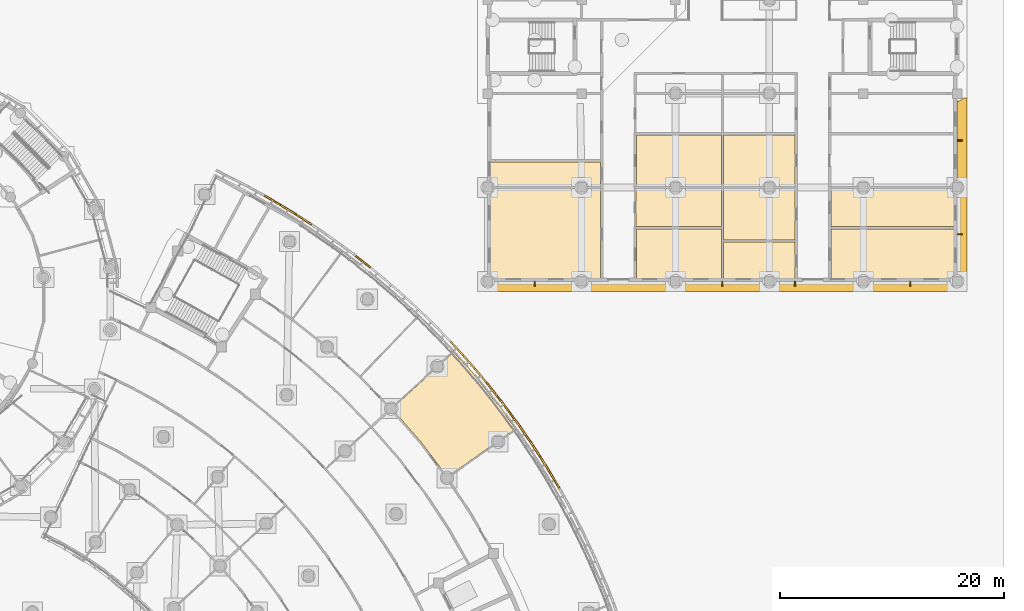
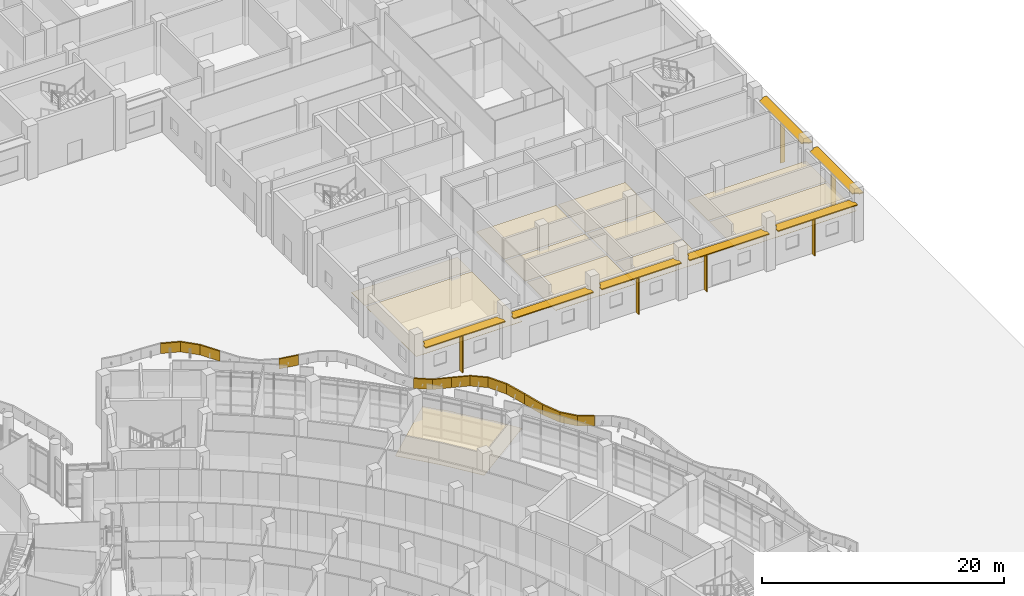
# One storey, part 135 of 146: 25 coverings, 13 shading devices.
"""IFC4 building model written with IfcOpenShell, lengths in metres."""

from ifc_helpers import new_model, si_unit, direction, frame, origin, origin_2d, place, context, subcontext, project, spatial, polyline, rectangle, outline, extrude, material, layer, layer_set, material_profile, profile_set, type_object, element, save


model = new_model("IFC4")

# Units and contexts
model_context = context("Model", 3, precision=1e-05, world=origin(), true_north=direction((0.0, 1.0)))
body_context = subcontext(model_context, "Body", "Model", "MODEL_VIEW")
ifc_project = project(units=[si_unit("LENGTHUNIT", "METRE"), si_unit("AREAUNIT", "SQUARE_METRE"), si_unit("VOLUMEUNIT", "CUBIC_METRE"), si_unit("PLANEANGLEUNIT", "RADIAN"), si_unit("MASSUNIT", "GRAM", prefix="KILO")], contexts=[model_context])

# Site, building, storey
site_placement = place(None, origin())
site = spatial("IfcSite", under=ifc_project, at=site_placement, CompositionType="ELEMENT")
building_placement = place(site_placement, origin())
building = spatial("IfcBuilding", under=site, at=building_placement, Name="Bougainvillea Quay General Hospital", CompositionType="ELEMENT")
storey_placement = place(building_placement, origin())
storey = spatial("IfcBuildingStorey", under=building, at=storey_placement, Name="L00", CompositionType="ELEMENT", Elevation=0.0)

# Coverings
ifc_material_1 = material(Name="Powder-coated aluminium fascia, red", Category="aluminium")
ifc_layer_1 = layer(ifc_material_1, 0.14990234375)
ifc_layer_set_1 = layer_set([ifc_layer_1], Name="Powder-coated aluminium fascia, red")
covering_type_1 = type_object("IfcCoveringType", Name="Aluminium wave fascia ribbon red 150x1000", PredefinedType="CLADDING", material=ifc_layer_set_1)
covering_1_placement = place(storey_placement, frame((170.123779296875, 57.07763671875, 4.83447265625), z_axis=(-0.159017750627, 0.270958661383, 0.949365450608), x_axis=(-0.483190491254, 0.817204171532, -0.314172390882)))
element("IfcCovering", 1, at=covering_1_placement, inside=storey, type_object=covering_type_1, Name="Fascia ribbon red a23 19", PredefinedType="CLADDING", context=body_context, shape_type="SweptSolid", body=[
    extrude(outline(polyline([(0.0, 0.0), (1.718389748937178, 8.088148206741863e-17), (1.7200145646892502, -0.1500550727388392), (-0.0017791005760622665, -0.15015914543474213), (0.0, 0.0)])), origin(), (-0.314172390882, 0.000974679543, 0.949365450608), 1.0),
])
covering_2_placement = place(storey_placement, frame((169.29345703125, 58.48193359375, 4.294189453125), z_axis=(-0.061844409249, 0.099484689147, 0.993115333519), x_axis=(-0.525133714983, 0.842919130054, -0.117140606013)))
element("IfcCovering", 2, at=covering_2_placement, inside=storey, type_object=covering_type_1, Name="Fascia ribbon red a23 20", PredefinedType="CLADDING", context=body_context, shape_type="SweptSolid", body=[
    extrude(outline(polyline([(0.0, 0.0), (1.6425289548607538, -1.2485265642528387e-16), (1.644263356299355, -0.15006915759751616), (-0.0020237283520707678, -0.15004865323997243), (0.0, 0.0)])), origin(), (-0.117140606013, 0.000112928752, 0.993115333519), 1.0),
])
covering_3_placement = place(storey_placement, frame((168.430908203125, 59.866455078125, 4.101806640625), z_axis=(0.088191314656, -0.134511381997, 0.986979726303), x_axis=(-0.541257847538, 0.825329584439, 0.160844706247)))
element("IfcCovering", 3, at=covering_3_placement, inside=storey, type_object=covering_type_1, Name="Fascia ribbon red a23 21", PredefinedType="CLADDING", context=body_context, shape_type="SweptSolid", body=[
    extrude(outline(polyline([(0.0, 0.0), (1.6526965397326472, -7.342420399979177e-17), (1.654456156413369, -0.15004184926928452), (-0.0017940227738848782, -0.1500684527040443), (0.0, 0.0)])), origin(), (0.160844706247, -1.8440013e-05, 0.986979726303), 1.0),
])
covering_4_placement = place(storey_placement, frame((167.536376953125, 61.23046875, 4.367919921875), z_axis=(0.187621176455, -0.272023826035, 0.943822722875), x_axis=(-0.535763347094, 0.777019285565, 0.330452214051)))
element("IfcCovering", 4, at=covering_4_placement, inside=storey, type_object=covering_type_1, Name="Fascia ribbon red a23 22", PredefinedType="CLADDING", context=body_context, shape_type="SweptSolid", body=[
    extrude(outline(polyline([(0.0, 0.0), (1.7284647573970013, 6.979551485375435e-17), (1.730307909389858, -0.15009700485195487), (-0.001802391722898452, -0.15004189467724224), (0.0, 0.0)])), origin(), (0.330452214051, 4.487696e-05, 0.943822722875), 1.0),
])
covering_5_placement = place(storey_placement, frame((166.6103515625, 62.573486328125, 4.939697265625), z_axis=(0.187177681172, -0.25795262156, 0.947852815948), x_axis=(-0.555989198415, 0.767659458851, 0.318708278025)))
element("IfcCovering", 5, at=covering_5_placement, inside=storey, type_object=covering_type_1, Name="Fascia ribbon red a23 23", PredefinedType="CLADDING", context=body_context, shape_type="SweptSolid", body=[
    extrude(outline(polyline([(0.0, 0.0), (1.7209141848525518, 6.949735925632083e-17), (1.722932193430598, -0.15003696479269316), (-0.0017638882491151319, -0.15009795739016313), (0.0, 0.0)])), origin(), (0.318708278025, 0.000269846147, 0.947852815948), 1.0),
])
covering_6_placement = place(storey_placement, frame((165.653564453125, 63.89453125, 5.488525390625), z_axis=(0.076962893255, -0.102501963187, 0.991751007363), x_axis=(-0.600167339631, 0.789537708024, 0.128177112031)))
element("IfcCovering", 6, at=covering_6_placement, inside=storey, type_object=covering_type_1, Name="Fascia ribbon red a23 24", PredefinedType="CLADDING", context=body_context, shape_type="SweptSolid", body=[
    extrude(outline(polyline([(0.0, 0.0), (1.6450591682006153, 5.816744655384731e-17), (1.6466955777015686, -0.14996475124950104), (-0.0014946678694857524, -0.1500423240298831), (0.0, 0.0)])), origin(), (0.128177112031, -0.000753224209, 0.991751007363), 1.0),
])
covering_7_placement = place(storey_placement, frame((164.666259765625, 65.193359375, 5.699462890625), z_axis=(-0.093698346812, 0.11755105912, 0.988636620961), x_axis=(-0.616476893242, 0.772889779209, -0.150325078722)))
element("IfcCovering", 7, at=covering_7_placement, inside=storey, type_object=covering_type_1, Name="Fascia ribbon red a23 25", PredefinedType="CLADDING", context=body_context, shape_type="SweptSolid", body=[
    extrude(outline(polyline([(0.0, 0.0), (1.649847737801987, -2.7321894746634712e-17), (1.6516449663194777, -0.15007079956051508), (-0.0018950614110079408, -0.1499617228869149), (0.0, 0.0)])), origin(), (-0.150325078722, 4.9017144e-05, 0.988636620961), 1.0),
])
covering_8_placement = place(storey_placement, frame((163.649169921875, 66.468505859375, 5.450927734375), z_axis=(-0.210328017605, 0.250182818155, 0.94507707755), x_axis=(-0.60630268017, 0.72496094482, -0.32684658252)))
element("IfcCovering", 8, at=covering_8_placement, inside=storey, type_object=covering_type_1, Name="Fascia ribbon red a23 26", PredefinedType="CLADDING", context=body_context, shape_type="SweptSolid", body=[
    extrude(outline(polyline([(0.0, 0.0), (1.726248009091207, -1.301584708068848e-16), (1.7280777745827958, -0.15010912969879892), (-0.0018483417904290402, -0.1500717709122464), (0.0, 0.0)])), origin(), (-0.32684658252, -0.000793085185, 0.94507707755), 1.0),
])
covering_9_placement = place(storey_placement, frame((162.6025390625, 67.719970703125, 4.88623046875), z_axis=(-0.212728509252, 0.24293070501, 0.946430797214), x_axis=(-0.623800432196, 0.711761400454, -0.322906688712)))
element("IfcCovering", 9, at=covering_9_placement, inside=storey, type_object=covering_type_1, Name="Fascia ribbon red a23 27", PredefinedType="CLADDING", context=body_context, shape_type="SweptSolid", body=[
    extrude(outline(polyline([(0.0, 0.0), (1.7236438942722305, -1.3297739645534712e-16), (1.7252960890031508, -0.15006649700228722), (-0.0017714978103780424, -0.15010981350514227), (0.0, 0.0)])), origin(), (-0.322906688712, 0.000128337117, 0.946430797214), 1.0),
])
covering_10_placement = place(storey_placement, frame((161.52734375, 68.94677734375, 4.3291015625), z_axis=(-0.093973621216, 0.102454994972, 0.990288812681), x_axis=(-0.669813332131, 0.729398409146, -0.139025396366)))
element("IfcCovering", 10, at=covering_10_placement, inside=storey, type_object=covering_type_1, Name="Fascia ribbon red a23 28", PredefinedType="CLADDING", context=body_context, shape_type="SweptSolid", body=[
    extrude(outline(polyline([(0.0, 0.0), (1.647134238549608, 8.048845877989264e-17), (1.6488772519411896, -0.1500809743703978), (-0.0019189901764477772, -0.15006274175866294), (0.0, 0.0)])), origin(), (-0.139025396366, 8.1511759e-05, 0.990288812681), 1.0),
])
covering_11_placement = place(storey_placement, frame((153.246337890625, 76.791259765625, 4.937744140625), z_axis=(-0.260177026564, 0.203447701028, 0.943883969455), x_axis=(-0.742448229173, 0.582827523072, -0.33027671027)))
element("IfcCovering", 11, at=covering_11_placement, inside=storey, type_object=covering_type_1, Name="Fascia ribbon red a23 35", PredefinedType="CLADDING", context=body_context, shape_type="SweptSolid", body=[
    extrude(outline(polyline([(0.0, 0.0), (1.7283303714215492, 8.370040771588094e-17), (1.7299958790987293, -0.14990362572189309), (-0.0018698766628672077, -0.15002562110948658), (0.0, 0.0)])), origin(), (-0.33027671027, -0.000588946595, 0.943883969455), 1.0),
])
covering_12_placement = place(storey_placement, frame((147.978271484375, 80.637939453125, 4.83642578125), z_axis=(0.280206756938, -0.180831104768, 0.942753565315), x_axis=(-0.792294256364, 0.510934542863, 0.333490186125)))
element("IfcCovering", 12, at=covering_12_placement, inside=storey, type_object=covering_type_1, Name="Fascia ribbon red a23 39", PredefinedType="CLADDING", context=body_context, shape_type="SweptSolid", body=[
    extrude(outline(polyline([(0.0, 0.0), (1.7301912937024517, -2.09183256653922e-17), (1.732048278813739, -0.1499587888602787), (-0.0019506195117658016, -0.1499051240199774), (0.0, 0.0)])), origin(), (0.333490186125, -0.000104134417, 0.942753565315), 1.0),
])
covering_13_placement = place(storey_placement, frame((146.607421875, 81.52197265625, 5.413818359375), z_axis=(0.144970840383, -0.089748699076, 0.985357106055), x_axis=(-0.840375473231, 0.514488474744, 0.170501241486)))
element("IfcCovering", 13, at=covering_13_placement, inside=storey, type_object=covering_type_1, Name="Fascia ribbon red a23 40", PredefinedType="CLADDING", context=body_context, shape_type="SweptSolid", body=[
    extrude(outline(polyline([(0.0, 0.0), (1.6556273304394638, 3.821541607468282e-16), (1.6574028780663885, -0.15009388499918183), (-0.001816229033518111, -0.149957721452546), (0.0, 0.0)])), origin(), (0.170501241486, -0.000836778907, 0.985357106055), 1.0),
])
covering_14_placement = place(storey_placement, frame((145.216064453125, 82.373779296875, 5.6962890625), z_axis=(-0.092058660229, 0.05343386017, 0.994318875243), x_axis=(-0.859771720349, 0.499462326974, -0.106442345059)))
element("IfcCovering", 14, at=covering_14_placement, inside=storey, type_object=covering_type_1, Name="Fascia ribbon red a23 41", PredefinedType="CLADDING", context=body_context, shape_type="SweptSolid", body=[
    extrude(outline(polyline([(0.0, 0.0), (1.6404564250106843, 5.999026145633857e-17), (1.642302441950594, -0.14997692131489265), (-0.0017363240399134588, -0.1500934394916517), (0.0, 0.0)])), origin(), (-0.106442345059, -3.8910772e-05, 0.994318875243), 1.0),
])

# Shading devices
ifc_material_2 = material(Name="Powder-coated aluminium canopy soffit and fascia, white", Category="aluminium")
ifc_layer_2 = layer(ifc_material_2, 0.10009765625)
ifc_layer_set_2 = layer_set([ifc_layer_2], Name="Powder-coated aluminium canopy soffit and fascia, white")
shading_device_type_1 = type_object("IfcShadingDeviceType", Name="Sunshade 100", PredefinedType="USERDEFINED", material=ifc_layer_set_2)
shading_device_1_placement = place(storey_placement, frame((0.0, 0.0, 4.050048828125)))
element("IfcShadingDevice", 15, at=shading_device_1_placement, inside=storey, type_object=shading_device_type_1, Name="Sunshade 0", ObjectType="Sunshade", PredefinedType="USERDEFINED", context=body_context, shape_type="SweptSolid", body=[
    extrude(outline(polyline([(171.52490234375, 75.60009765625), (164.47509765625, 75.60009765625), (164.4619140625, 75.46826171875), (164.423583984375, 75.341796875), (164.395263671875, 75.28173828125), (164.32177734375, 75.171875), (164.27734375, 75.122802734375), (164.199951171875, 75.057373046875), (164.199951171875, 74.699951171875), (171.800048828125, 74.699951171875), (171.800048828125, 75.057373046875), (171.72265625, 75.122802734375), (171.67822265625, 75.171875), (171.604736328125, 75.28173828125), (171.576416015625, 75.341796875), (171.5380859375, 75.46826171875), (171.52490234375, 75.60009765625)])), origin(), (0.0, 0.0, 1.0), 0.099853515625),
])
shading_device_2_placement = place(storey_placement, frame((0.0, 0.0, 4.050048828125)))
element("IfcShadingDevice", 16, at=shading_device_2_placement, inside=storey, type_object=shading_device_type_1, Name="Sunshade 0", ObjectType="Sunshade", PredefinedType="USERDEFINED", context=body_context, shape_type="SweptSolid", body=[
    extrude(outline(polyline([(179.925048828125, 75.60009765625), (172.875, 75.60009765625), (172.862060546875, 75.46826171875), (172.82373046875, 75.341796875), (172.79541015625, 75.28173828125), (172.7216796875, 75.171875), (172.67724609375, 75.122802734375), (172.60009765625, 75.057373046875), (172.60009765625, 74.699951171875), (180.199951171875, 74.699951171875), (180.199951171875, 75.057373046875), (180.122802734375, 75.122802734375), (180.078125, 75.171875), (180.004638671875, 75.28173828125), (179.976318359375, 75.341796875), (179.93798828125, 75.46826171875), (179.925048828125, 75.60009765625)])), origin(), (0.0, 0.0, 1.0), 0.099853515625),
])
shading_device_3_placement = place(storey_placement, frame((0.0, 0.0, 4.050048828125)))
element("IfcShadingDevice", 17, at=shading_device_3_placement, inside=storey, type_object=shading_device_type_1, Name="Sunshade 0", ObjectType="Sunshade", PredefinedType="USERDEFINED", context=body_context, shape_type="SweptSolid", body=[
    extrude(outline(polyline([(188.324951171875, 75.60009765625), (181.27490234375, 75.60009765625), (181.261962890625, 75.46826171875), (181.2236328125, 75.341796875), (181.1953125, 75.28173828125), (181.121826171875, 75.171875), (181.077392578125, 75.122802734375), (181.0, 75.057373046875), (181.0, 74.699951171875), (188.60009765625, 74.699951171875), (188.60009765625, 75.057373046875), (188.522705078125, 75.122802734375), (188.478271484375, 75.171875), (188.40478515625, 75.28173828125), (188.37646484375, 75.341796875), (188.337890625, 75.46826171875), (188.324951171875, 75.60009765625)])), origin(), (0.0, 0.0, 1.0), 0.099853515625),
])
shading_device_4_placement = place(storey_placement, frame((0.0, 0.0, 4.050048828125)))
element("IfcShadingDevice", 18, at=shading_device_4_placement, inside=storey, type_object=shading_device_type_1, Name="Sunshade 0", ObjectType="Sunshade", PredefinedType="USERDEFINED", context=body_context, shape_type="SweptSolid", body=[
    extrude(outline(polyline([(196.72509765625, 75.60009765625), (189.675048828125, 75.60009765625), (189.662109375, 75.46826171875), (189.62353515625, 75.341796875), (189.59521484375, 75.28173828125), (189.521728515625, 75.171875), (189.477294921875, 75.122802734375), (189.39990234375, 75.057373046875), (189.39990234375, 74.699951171875), (197.0, 74.699951171875), (197.0, 75.057373046875), (196.922607421875, 75.122802734375), (196.878173828125, 75.171875), (196.8046875, 75.28173828125), (196.7763671875, 75.341796875), (196.738037109375, 75.46826171875), (196.72509765625, 75.60009765625)])), origin(), (0.0, 0.0, 1.0), 0.099853515625),
])
shading_device_5_placement = place(storey_placement, frame((0.0, 0.0, 4.050048828125)))
element("IfcShadingDevice", 19, at=shading_device_5_placement, inside=storey, type_object=shading_device_type_1, Name="Sunshade 0", ObjectType="Sunshade", PredefinedType="USERDEFINED", context=body_context, shape_type="SweptSolid", body=[
    extrude(outline(polyline([(205.125, 75.60009765625), (198.074951171875, 75.60009765625), (198.06201171875, 75.46826171875), (198.023681640625, 75.341796875), (197.995361328125, 75.28173828125), (197.921875, 75.171875), (197.877197265625, 75.122802734375), (197.800048828125, 75.057373046875), (197.800048828125, 74.699951171875), (205.39990234375, 74.699951171875), (205.39990234375, 75.057373046875), (205.32275390625, 75.122802734375), (205.2783203125, 75.171875), (205.20458984375, 75.28173828125), (205.17626953125, 75.341796875), (205.137939453125, 75.46826171875), (205.125, 75.60009765625)])), origin(), (0.0, 0.0, 1.0), 0.099853515625),
])
shading_device_6_placement = place(storey_placement, frame((0.0, 0.0, 4.050048828125)))
element("IfcShadingDevice", 20, at=shading_device_6_placement, inside=storey, type_object=shading_device_type_1, Name="Sunshade 0", ObjectType="Sunshade", PredefinedType="USERDEFINED", context=body_context, shape_type="SweptSolid", body=[
    extrude(outline(polyline([(205.800048828125, 83.324951171875), (205.800048828125, 76.27490234375), (205.931640625, 76.261962890625), (205.995849609375, 76.245849609375), (206.1181640625, 76.1953125), (206.228271484375, 76.121826171875), (206.27734375, 76.077392578125), (206.3427734375, 76.0), (206.699951171875, 76.0), (206.699951171875, 83.60009765625), (206.3427734375, 83.60009765625), (206.27734375, 83.522705078125), (206.228271484375, 83.478271484375), (206.1181640625, 83.40478515625), (205.995849609375, 83.35400390625), (205.931640625, 83.337890625), (205.800048828125, 83.324951171875)])), origin(), (0.0, 0.0, 1.0), 0.099853515625),
])
shading_device_7_placement = place(storey_placement, frame((0.0, 0.0, 4.050048828125)))
element("IfcShadingDevice", 21, at=shading_device_7_placement, inside=storey, type_object=shading_device_type_1, Name="Sunshade 0", ObjectType="Sunshade", PredefinedType="USERDEFINED", context=body_context, shape_type="SweptSolid", body=[
    extrude(outline(polyline([(205.800048828125, 91.72509765625), (205.800048828125, 84.675048828125), (205.931640625, 84.662109375), (205.995849609375, 84.64599609375), (206.1181640625, 84.59521484375), (206.228271484375, 84.521728515625), (206.27734375, 84.477294921875), (206.3427734375, 84.39990234375), (206.699951171875, 84.39990234375), (206.699951171875, 92.0), (206.3427734375, 92.0), (206.27734375, 91.922607421875), (206.228271484375, 91.878173828125), (206.1181640625, 91.8046875), (205.995849609375, 91.754150390625), (205.931640625, 91.738037109375), (205.800048828125, 91.72509765625)])), origin(), (0.0, 0.0, 1.0), 0.099853515625),
])

# Coverings
ifc_material_3 = material(Name="Mineral fibre ceiling tile")
ifc_layer_3 = layer(ifc_material_3, 0.030029296875)
ifc_layer_set_3 = layer_set([ifc_layer_3], Name="Mineral fibre ceiling tile")
covering_type_2 = type_object("IfcCoveringType", Name="Suspended ceiling mineral fibre tile", PredefinedType="CEILING", material=ifc_layer_set_3)
covering_15_placement = place(storey_placement, frame((0.0, 0.0, 2.800048828125)))
element("IfcCovering", 22, at=covering_15_placement, inside=storey, type_object=covering_type_2, Name="Ceiling CSSD Inspection and Packing Room", PredefinedType="CEILING", context=body_context, shape_type="SweptSolid", body=[
    extrude(outline(polyline([(163.800048828125, 84.10009765625), (173.89990234375, 84.10009765625), (173.89990234375, 86.300048828125), (163.800048828125, 86.300048828125), (163.800048828125, 84.10009765625)])), origin(), (0.0, 0.0, 1.0), 0.030029296875),
])
covering_16_placement = place(storey_placement, frame((0.0, 0.0, 2.800048828125)))
element("IfcCovering", 23, at=covering_16_placement, inside=storey, type_object=covering_type_2, Name="Ceiling CSSD Steriliser Room", PredefinedType="CEILING", context=body_context, shape_type="SweptSolid", body=[
    extrude(outline(polyline([(173.89990234375, 75.60009765625), (173.89990234375, 83.89990234375), (163.800048828125, 83.89990234375), (163.800048828125, 75.60009765625), (173.89990234375, 75.60009765625)])), origin(), (0.0, 0.0, 1.0), 0.030029296875),
])
covering_17_placement = place(storey_placement, frame((0.0, 0.0, 2.800048828125)))
element("IfcCovering", 24, at=covering_17_placement, inside=storey, type_object=covering_type_2, Name="Ceiling CSSD Cart Wash Room", PredefinedType="CEILING", context=body_context, shape_type="SweptSolid", body=[
    extrude(outline(polyline([(184.699951171875, 84.10009765625), (184.699951171875, 88.699951171875), (177.10009765625, 88.699951171875), (177.10009765625, 84.10009765625), (184.699951171875, 84.10009765625)])), origin(), (0.0, 0.0, 1.0), 0.030029296875),
])
covering_18_placement = place(storey_placement, frame((0.0, 0.0, 2.800048828125)))
element("IfcCovering", 25, at=covering_18_placement, inside=storey, type_object=covering_type_2, Name="Ceiling CSSD Staff Changing Room", PredefinedType="CEILING", context=body_context, shape_type="SweptSolid", body=[
    extrude(outline(polyline([(177.050048828125, 80.5), (184.699951171875, 80.5), (184.699951171875, 83.89990234375), (177.050048828125, 83.89990234375), (177.050048828125, 80.5)])), origin(), (0.0, 0.0, 1.0), 0.030029296875),
])
covering_19_placement = place(storey_placement, frame((0.0, 0.0, 2.800048828125)))
element("IfcCovering", 26, at=covering_19_placement, inside=storey, type_object=covering_type_2, Name="Ceiling CSSD Decontamination Room", PredefinedType="CEILING", context=body_context, shape_type="SweptSolid", body=[
    extrude(outline(polyline([(184.699951171875, 75.60009765625), (184.699951171875, 80.300048828125), (177.10009765625, 80.300048828125), (177.10009765625, 75.60009765625), (184.699951171875, 75.60009765625)])), origin(), (0.0, 0.0, 1.0), 0.030029296875),
])
covering_20_placement = place(storey_placement, frame((0.0, 0.0, 2.800048828125)))
element("IfcCovering", 27, at=covering_20_placement, inside=storey, type_object=covering_type_2, Name="Ceiling Theatre Pharmacy Store", PredefinedType="CEILING", context=body_context, shape_type="SweptSolid", body=[
    extrude(outline(polyline([(191.300048828125, 84.10009765625), (191.300048828125, 88.699951171875), (184.89990234375, 88.699951171875), (184.89990234375, 84.10009765625), (191.300048828125, 84.10009765625)])), origin(), (0.0, 0.0, 1.0), 0.030029296875),
])
covering_21_placement = place(storey_placement, frame((0.0, 0.0, 2.800048828125)))
element("IfcCovering", 28, at=covering_21_placement, inside=storey, type_object=covering_type_2, Name="Ceiling Theatre Linen Store", PredefinedType="CEILING", context=body_context, shape_type="SweptSolid", body=[
    extrude(outline(polyline([(184.89990234375, 83.89990234375), (184.89990234375, 79.300048828125), (191.300048828125, 79.300048828125), (191.300048828125, 83.89990234375), (184.89990234375, 83.89990234375)])), origin(), (0.0, 0.0, 1.0), 0.030029296875),
])
covering_22_placement = place(storey_placement, frame((0.0, 0.0, 2.800048828125)))
element("IfcCovering", 29, at=covering_22_placement, inside=storey, type_object=covering_type_2, Name="Ceiling Theatre Equipment Store", PredefinedType="CEILING", context=body_context, shape_type="SweptSolid", body=[
    extrude(outline(polyline([(191.300048828125, 75.60009765625), (191.300048828125, 79.10009765625), (184.89990234375, 79.10009765625), (184.89990234375, 75.60009765625), (191.300048828125, 75.60009765625)])), origin(), (0.0, 0.0, 1.0), 0.030029296875),
])
covering_23_placement = place(storey_placement, frame((0.0, 0.0, 2.800048828125)))
element("IfcCovering", 30, at=covering_23_placement, inside=storey, type_object=covering_type_2, Name="Ceiling Theatre Implant Store", PredefinedType="CEILING", context=body_context, shape_type="SweptSolid", body=[
    extrude(outline(polyline([(205.800048828125, 83.89990234375), (194.5, 83.89990234375), (194.5, 80.5), (205.800048828125, 80.5), (205.800048828125, 83.89990234375)])), origin(), (0.0, 0.0, 1.0), 0.030029296875),
])
covering_24_placement = place(storey_placement, frame((0.0, 0.0, 2.800048828125)))
element("IfcCovering", 31, at=covering_24_placement, inside=storey, type_object=covering_type_2, Name="Ceiling Theatre Pharmacy Store", PredefinedType="CEILING", context=body_context, shape_type="SweptSolid", body=[
    extrude(outline(polyline([(205.800048828125, 80.300048828125), (194.5, 80.300048828125), (194.5, 75.60009765625), (205.800048828125, 75.60009765625), (205.800048828125, 80.300048828125)])), origin(), (0.0, 0.0, 1.0), 0.030029296875),
])
covering_25_placement = place(storey_placement, frame((0.0, 0.0, 2.699951171875)))
element("IfcCovering", 32, at=covering_25_placement, inside=storey, type_object=covering_type_2, Name="Ceiling Rheumatology Consulting Room 00E111", PredefinedType="CEILING", context=body_context, shape_type="SweptSolid", body=[
    extrude(outline(polyline([(164.742919921875, 64.593017578125), (164.703857421875, 64.56201171875), (163.337158203125, 66.286376953125), (162.599609375, 67.172119140625), (162.637939453125, 67.2041015625), (161.9560546875, 68.0), (161.918701171875, 67.966552734375), (160.74755859375, 69.27294921875), (155.222900390625, 64.19970703125), (155.25634765625, 64.1650390625), (155.254150390625, 64.16064453125), (157.767333984375, 61.2939453125), (157.771728515625, 61.297119140625), (157.815185546875, 61.239501953125), (157.86279296875, 61.18505859375), (157.85888671875, 61.181640625), (160.17431640625, 58.117431640625), (160.17822265625, 58.119873046875), (160.190673828125, 58.10107421875), (166.285888671875, 62.40869140625), (165.33447265625, 63.725830078125), (165.375, 63.7548828125), (164.742919921875, 64.593017578125)])), origin(), (0.0, 0.0, 1.0), 0.030029296875),
])

# Shading devices
ifc_material_4 = material(Name="Powder-coated aluminium fin, white", Category="aluminium")
ifc_material_profile = material_profile(ifc_material_4, rectangle(XDim=0.449951171875, YDim=0.10009765625, at=origin_2d()))
ifc_profile_set = profile_set([ifc_material_profile], Name="Powder-coated aluminium fin, white")
shading_device_type_2 = type_object("IfcShadingDeviceType", Name="Vertical fin 450x100", PredefinedType="USERDEFINED", material=ifc_profile_set)
for number, where, z_axis, x_axis, name in (
    (33, (168.0, 75.375, 0.0), (0.0, 0.0, 1.0), (0.0, -1.0, 0.0), "Vertical fin 01a 1"),
    (34, (184.800048828125, 75.375, 0.0), (0.0, 0.0, 1.0), (0.0, -1.0, 0.0), "Vertical fin 01c 1"),
    (35, (191.300048828125, 75.375, 0.0), (0.0, 0.0, 1.0), (0.0, -1.0, 0.0), "Vertical fin 01d 1"),
    (36, (201.60009765625, 75.375, 0.0), (0.0, 0.0, 1.0), (0.0, -1.0, 0.0), "Vertical fin 01e 1"),
    (37, (206.02490234375, 79.800048828125, 0.0), (0.0, 0.0, 1.0), (1.0, 0.0, 0.0), "Vertical fin 02a 1"),
    (38, (206.02490234375, 88.199951171875, 0.0), (0.0, 0.0, 1.0), (1.0, 0.0, 0.0), "Vertical fin 02b 1"),
):
    element("IfcShadingDevice", number, at=place(storey_placement, frame(where, z_axis=z_axis, x_axis=x_axis)), inside=storey, type_object=shading_device_type_2, Name=name, ObjectType="Vertical fin", PredefinedType="USERDEFINED", context=body_context, shape_type="SweptSolid", body=[
        extrude(rectangle(XDim=0.449951171875, YDim=0.10009765625, at=origin_2d()), origin(), (0.0, 0.0, 1.0), 4.050048828125),
    ])

save(model, "model.ifc")
